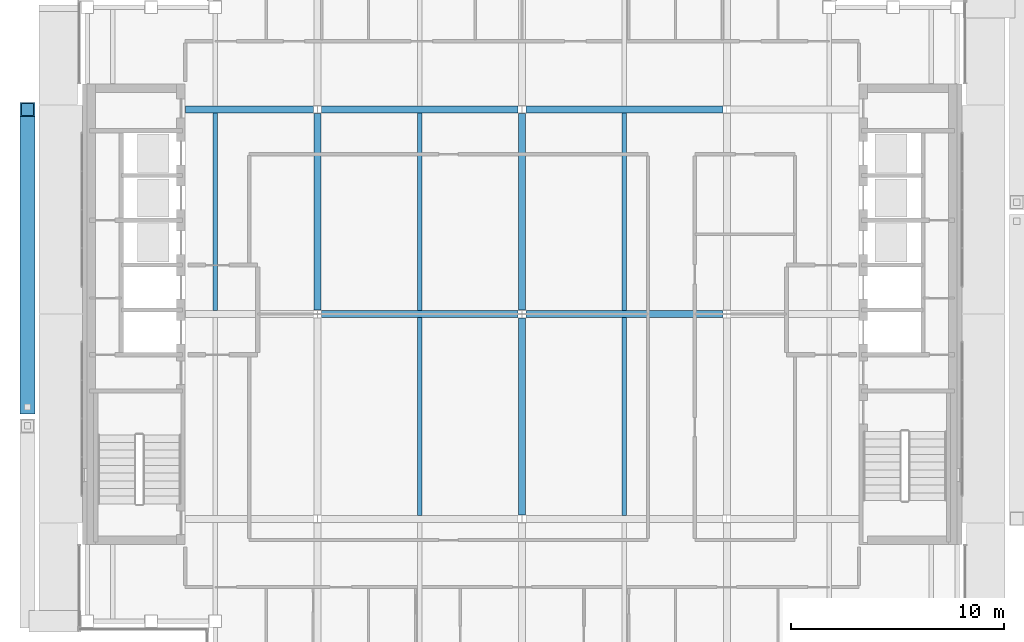
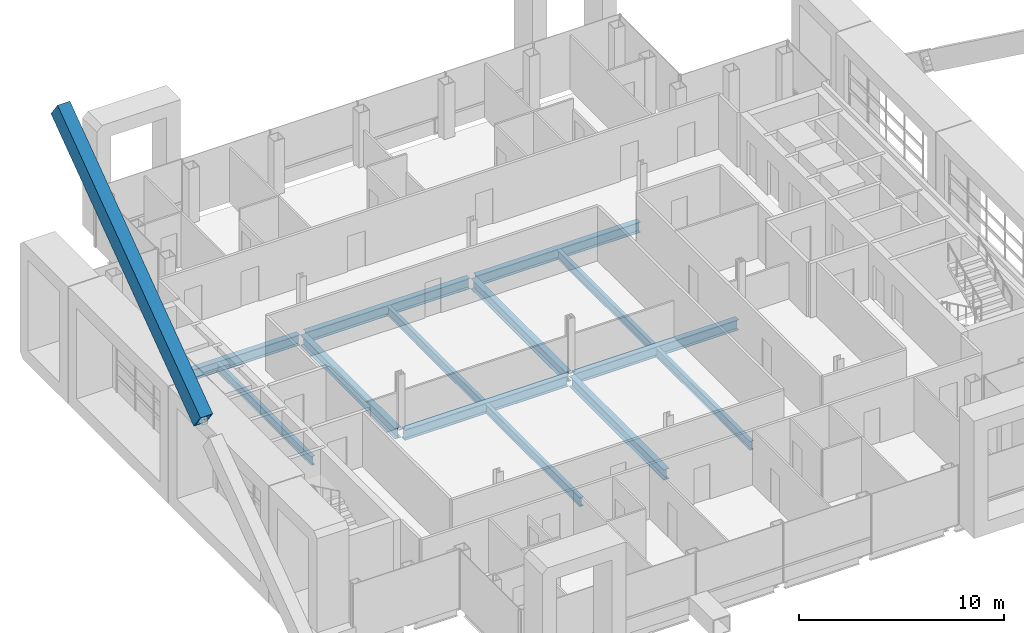
# One storey, part 6 of 23: 13 beams, 1 member.
"""IFC4 building model written with IfcOpenShell, lengths in metres."""

from ifc_helpers import new_model, si_unit, direction, frame, origin, origin_2d, place, context, subcontext, project, spatial, hollow_rectangle, i_section, extrude, material, material_profile, profile_set, type_object, element, save


model = new_model("IFC4")

# Units and contexts
model_context = context("Model", 3, precision=1e-05, world=origin(), true_north=direction((0.0, 1.0)))
body_context = subcontext(model_context, "Body", "Model", "MODEL_VIEW")
ifc_project = project(units=[si_unit("LENGTHUNIT", "METRE"), si_unit("AREAUNIT", "SQUARE_METRE"), si_unit("VOLUMEUNIT", "CUBIC_METRE"), si_unit("PLANEANGLEUNIT", "RADIAN"), si_unit("MASSUNIT", "GRAM", prefix="KILO")], contexts=[model_context])

# Site, building, storey
site_placement = place(None, origin())
site = spatial("IfcSite", under=ifc_project, at=site_placement, CompositionType="ELEMENT")
building_placement = place(site_placement, origin())
building = spatial("IfcBuilding", under=site, at=building_placement, Name="Cobrizo Arcos Hotel Tower", CompositionType="ELEMENT")
storey_placement = place(building_placement, frame((0.0, 0.0, 262.0)))
storey = spatial("IfcBuildingStorey", under=building, at=storey_placement, Name="L69", CompositionType="ELEMENT", Elevation=262.0)

# Member
ifc_material_1 = material(Name="Steel ASTM A572 Grade 50", Category="steel")
ifc_material_profile_1 = material_profile(ifc_material_1, hollow_rectangle(XDim=0.699951171875, YDim=1.10009765625, WallThickness=0.06005859375, at=origin_2d()), Name="BOX 700X1100X60")
ifc_profile_set_1 = profile_set([ifc_material_profile_1], Name="Steel ASTM A572 Grade 50")
member_type = type_object("IfcMemberType", Name="BOX 700X1100X60 perimeter brace", PredefinedType="BRACE", material=ifc_profile_set_1)
member_placement = place(storey_placement, frame((-23.199951171875, -4.357421875, 7.82275390625), z_axis=(0.0, 0.808010614018, 0.589167928213), x_axis=(-1.0, 0.0, 0.0)))
element("IfcMember", 1, at=member_placement, inside=storey, type_object=member_type, Name="Perimeter brace PBR5, zone Z5, west face, no. 03b", PredefinedType="BRACE", context=body_context, shape_type="SweptSolid", body=[
    extrude(hollow_rectangle(XDim=0.699951171875, YDim=1.10009765625, WallThickness=0.06005859375, at=origin_2d()), origin(), (0.0, 0.0, 1.0), 17.27392578125),
])

# Beams
ifc_material_2 = material(Name="Steel ASTM A992 Grade 50", Category="steel")
ifc_material_profile_2 = material_profile(ifc_material_2, i_section(OverallWidth=0.209228515625, OverallDepth=0.533447265625, WebThickness=0.01025390625, FlangeThickness=0.015625, at=origin_2d()), Name="W21X62")
ifc_profile_set_2 = profile_set([ifc_material_profile_2], Name="Steel ASTM A992 Grade 50")
beam_type_1 = type_object("IfcBeamType", Name="W21X62 joist", PredefinedType="JOIST", material=ifc_profile_set_2)
for number, where, z_axis, x_axis, name in (
    (2, (-14.39990234375, 0.163818359375, -0.416748046875), (0.0, 1.0, 0.0), (-1.0, 0.0, 0.0), "Floor joist J1, L69, no. 005"),
    (3, (-4.800048828125, -9.43603515625, -0.416748046875), (0.0, 1.0, 0.0), (-1.0, 0.0, 0.0), "Floor joist J1, L69, no. 008"),
    (4, (-4.800048828125, 0.163818359375, -0.416748046875), (0.0, 1.0, 0.0), (-1.0, 0.0, 0.0), "Floor joist J1, L69, no. 009"),
    (5, (4.800048828125, -9.43603515625, -0.416748046875), (0.0, 1.0, 0.0), (-1.0, 0.0, 0.0), "Floor joist J1, L69, no. 012"),
    (6, (4.800048828125, 0.163818359375, -0.416748046875), (0.0, 1.0, 0.0), (-1.0, 0.0, 0.0), "Floor joist J1, L69, no. 013"),
):
    element("IfcBeam", number, at=place(storey_placement, frame(where, z_axis=z_axis, x_axis=x_axis)), inside=storey, type_object=beam_type_1, Name=name, PredefinedType="JOIST", context=body_context, shape_type="SweptSolid", body=[
        extrude(i_section(OverallWidth=0.209228515625, OverallDepth=0.533447265625, WebThickness=0.01025390625, FlangeThickness=0.015625, at=origin_2d()), origin(), (0.0, 0.0, 1.0), 9.272216796875),
    ])
ifc_material_profile_3 = material_profile(ifc_material_2, i_section(OverallWidth=0.32763671875, OverallDepth=0.622314453125, WebThickness=0.015380859375, FlangeThickness=0.0244140625, at=origin_2d()), Name="W24X131")
ifc_profile_set_3 = profile_set([ifc_material_profile_3], Name="Steel ASTM A992 Grade 50")
beam_type_2 = type_object("IfcBeamType", Name="W24X131 girder", PredefinedType="BEAM", material=ifc_profile_set_3)
for number, where, z_axis, x_axis, name in (
    (7, (-9.415771484375, 0.0, -0.461181640625), (1.0, 0.0, 0.0), (0.0, 1.0, 0.0), "Floor girder G1, L69, no. 006"),
    (8, (0.18408203125, 0.0, -0.461181640625), (1.0, 0.0, 0.0), (0.0, 1.0, 0.0), "Floor girder G1, L69, no. 007"),
):
    element("IfcBeam", number, at=place(storey_placement, frame(where, z_axis=z_axis, x_axis=x_axis)), inside=storey, type_object=beam_type_2, Name=name, PredefinedType="BEAM", context=body_context, shape_type="SweptSolid", body=[
        extrude(i_section(OverallWidth=0.32763671875, OverallDepth=0.622314453125, WebThickness=0.015380859375, FlangeThickness=0.0244140625, at=origin_2d()), origin(), (0.0, 0.0, 1.0), 9.231689453125),
    ])
beam_placement = place(storey_placement, frame((-15.7900390625, 9.60009765625, -0.461181640625), z_axis=(1.0, 0.0, 0.0), x_axis=(0.0, 1.0, 0.0)))
element("IfcBeam", 9, at=beam_placement, inside=storey, type_object=beam_type_2, Name="Floor girder G1, L69, no. 009", PredefinedType="BEAM", context=body_context, shape_type="SweptSolid", body=[
    extrude(i_section(OverallWidth=0.32763671875, OverallDepth=0.622314453125, WebThickness=0.015380859375, FlangeThickness=0.0244140625, at=origin_2d()), origin(), (0.0, 0.0, 1.0), 6.005859375),
])
for number, where, z_axis, x_axis, name in (
    (10, (-9.415771484375, 9.60009765625, -0.461181640625), (1.0, 0.0, 0.0), (0.0, 1.0, 0.0), "Floor girder G1, L69, no. 010"),
    (11, (0.18408203125, 9.60009765625, -0.461181640625), (1.0, 0.0, 0.0), (0.0, 1.0, 0.0), "Floor girder G1, L69, no. 011"),
    (12, (-9.60009765625, 0.18408203125, -0.461181640625), (0.0, 1.0, 0.0), (-1.0, 0.0, 0.0), "Floor girder G1, L69, no. 015"),
    (13, (0.0, -9.415771484375, -0.461181640625), (0.0, 1.0, 0.0), (-1.0, 0.0, 0.0), "Floor girder G1, L69, no. 018"),
    (14, (0.0, 0.18408203125, -0.461181640625), (0.0, 1.0, 0.0), (-1.0, 0.0, 0.0), "Floor girder G1, L69, no. 019"),
):
    element("IfcBeam", number, at=place(storey_placement, frame(where, z_axis=z_axis, x_axis=x_axis)), inside=storey, type_object=beam_type_2, Name=name, PredefinedType="BEAM", context=body_context, shape_type="SweptSolid", body=[
        extrude(i_section(OverallWidth=0.32763671875, OverallDepth=0.622314453125, WebThickness=0.015380859375, FlangeThickness=0.0244140625, at=origin_2d()), origin(), (0.0, 0.0, 1.0), 9.231689453125),
    ])

save(model, "model.ifc")
